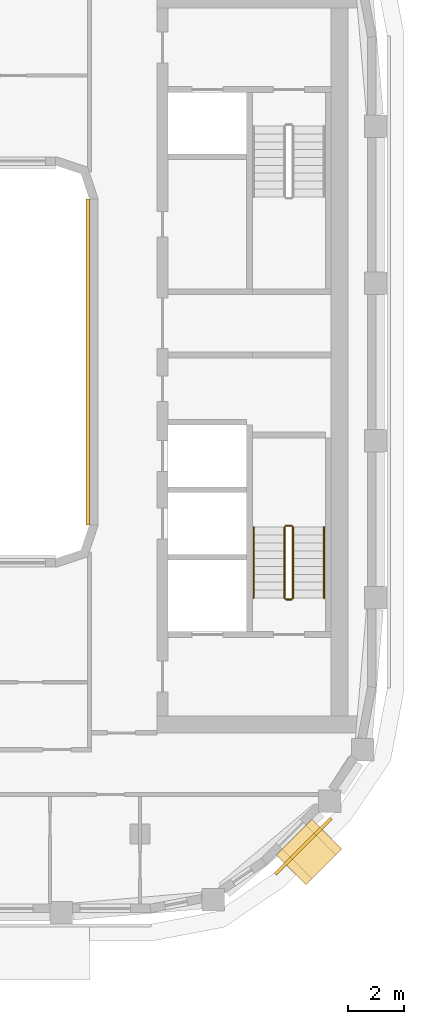
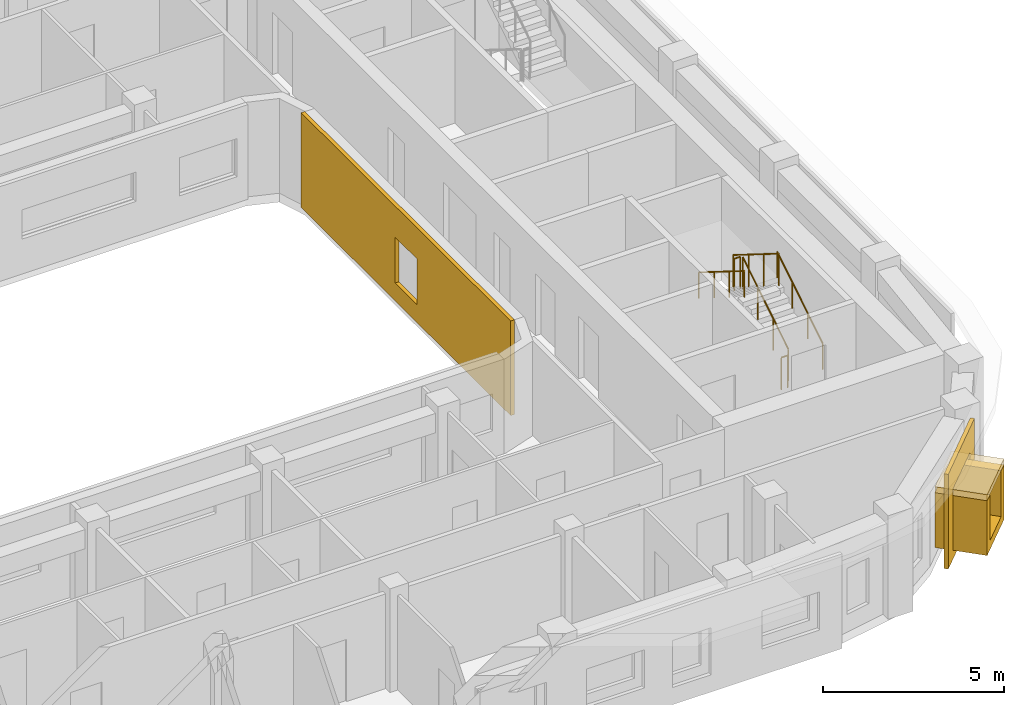
# One storey, part 13 of 16: 6 railings, 4 coverings.
"""IFC4 building model written with IfcOpenShell, lengths in metres."""

from ifc_helpers import new_model, si_unit, direction, frame, origin, origin_2d, place, context, subcontext, project, spatial, polyline, rectangle, circle, outline, extrude, material, layer, layer_set, type_object, element, save


model = new_model("IFC4")

# Units and contexts
model_context = context("Model", 3, precision=1e-05, world=origin(), true_north=direction((0.0, 1.0)))
body_context = subcontext(model_context, "Body", "Model", "MODEL_VIEW")
ifc_project = project(units=[si_unit("LENGTHUNIT", "METRE"), si_unit("AREAUNIT", "SQUARE_METRE"), si_unit("VOLUMEUNIT", "CUBIC_METRE"), si_unit("PLANEANGLEUNIT", "RADIAN"), si_unit("MASSUNIT", "GRAM", prefix="KILO")], contexts=[model_context])

# Site, building, storey
site_placement = place(None, origin())
site = spatial("IfcSite", under=ifc_project, at=site_placement, CompositionType="ELEMENT")
building_placement = place(site_placement, origin())
building = spatial("IfcBuilding", under=site, at=building_placement, Name="Kiln Ring Residences", CompositionType="ELEMENT")
storey_placement = place(building_placement, frame((0.0, 0.0, 255.699951171875)))
storey = spatial("IfcBuildingStorey", under=building, at=storey_placement, Name="L66", CompositionType="ELEMENT", Elevation=255.699951171875)

# Railings
ifc_material_1 = material(Name="Stainless steel", Category="steel")
railing_type_1 = type_object("IfcRailingType", Name="CORE-STAIR-GUARD", PredefinedType="GUARDRAIL", material=ifc_material_1)
railing_1_placement = place(storey_placement, frame((22.25, -8.39990234375, 0.175048828125)))
element("IfcRailing", 1, at=railing_1_placement, inside=storey, type_object=railing_type_1, Name="L66 E-STS stair guard 1", PredefinedType="GUARDRAIL", context=body_context, shape_type="SweptSolid", body=[
    extrude(circle(Radius=0.02392578125, at=origin_2d()), frame((0.0, 0.0, 1.076171875), z_axis=(0.0, 0.848007534815, 0.529984170421), x_axis=(-1.0, 0.0, 0.0)), (0.0, 0.0, 1.0), 2.9716796875),
    extrude(circle(Radius=0.02099609375, at=origin_2d()), origin(), (0.0, 0.0, 1.0), 1.052001953125),
    extrude(circle(Radius=0.02099609375, at=origin_2d()), frame((0.0, 0.840087890625, 0.52490234375)), (0.0, 0.0, 1.0), 1.052001953125),
    extrude(circle(Radius=0.02099609375, at=origin_2d()), frame((0.0, 1.679931640625, 1.050048828125)), (0.0, 0.0, 1.0), 1.052001953125),
    extrude(circle(Radius=0.02099609375, at=origin_2d()), frame((0.0, 2.52001953125, 1.574951171875)), (0.0, 0.0, 1.0), 1.052001953125),
])
railing_2_placement = place(storey_placement, frame((22.199951171875, -5.830078125, 1.75)))
element("IfcRailing", 2, at=railing_2_placement, inside=storey, type_object=railing_type_1, Name="L66 E-STS stair guard 2", PredefinedType="GUARDRAIL", context=body_context, shape_type="SweptSolid", body=[
    extrude(circle(Radius=0.02392578125, at=origin_2d()), frame((0.0, 0.0, 1.076171875), z_axis=(-1.0, 0.0, 0.0), x_axis=(0.0, -1.0, 0.0)), (0.0, 0.0, 1.0), 0.199951171875),
    extrude(circle(Radius=0.02099609375, at=origin_2d()), origin(), (0.0, 0.0, 1.0), 1.052001953125),
    extrude(circle(Radius=0.02099609375, at=origin_2d()), frame((-0.199951171875, 0.0, 0.0)), (0.0, 0.0, 1.0), 1.052001953125),
])
railing_3_placement = place(storey_placement, frame((21.949951171875, -5.8798828125, 1.925048828125)))
element("IfcRailing", 3, at=railing_3_placement, inside=storey, type_object=railing_type_1, Name="L66 E-STS stair guard 3", PredefinedType="GUARDRAIL", context=body_context, shape_type="SweptSolid", body=[
    extrude(circle(Radius=0.02392578125, at=origin_2d()), frame((0.0, 0.0, 1.076171875), z_axis=(0.0, -0.848007534815, 0.529984170421), x_axis=(1.0, 0.0, 0.0)), (0.0, 0.0, 1.0), 2.9716796875),
    extrude(circle(Radius=0.02099609375, at=origin_2d()), origin(), (0.0, 0.0, 1.0), 1.052001953125),
    extrude(circle(Radius=0.02099609375, at=origin_2d()), frame((0.0, -0.840087890625, 0.52490234375)), (0.0, 0.0, 1.0), 1.052001953125),
    extrude(circle(Radius=0.02099609375, at=origin_2d()), frame((0.0, -1.679931640625, 1.050048828125)), (0.0, 0.0, 1.0), 1.052001953125),
    extrude(circle(Radius=0.02099609375, at=origin_2d()), frame((0.0, -2.52001953125, 1.574951171875)), (0.0, 0.0, 1.0), 1.052001953125),
])
railing_4_placement = place(storey_placement, frame((22.199951171875, -8.449951171875, 0.0)))
element("IfcRailing", 4, at=railing_4_placement, inside=storey, type_object=railing_type_1, Name="L66 E-STS stair guard 4", PredefinedType="GUARDRAIL", context=body_context, shape_type="SweptSolid", body=[
    extrude(circle(Radius=0.02392578125, at=origin_2d()), frame((0.0, 0.0, 1.076171875), z_axis=(-1.0, 0.0, 0.0), x_axis=(0.0, -1.0, 0.0)), (0.0, 0.0, 1.0), 0.199951171875),
    extrude(circle(Radius=0.02099609375, at=origin_2d()), origin(), (0.0, 0.0, 1.0), 1.052001953125),
    extrude(circle(Radius=0.02099609375, at=origin_2d()), frame((-0.199951171875, 0.0, 0.0)), (0.0, 0.0, 1.0), 1.052001953125),
])
ifc_material_2 = material(Name="Stainless steel", Category="steel")
railing_type_2 = type_object("IfcRailingType", Name="CORE-STAIR-HANDRAIL", PredefinedType="HANDRAIL", material=ifc_material_2)
railing_5_placement = place(storey_placement, frame((23.35009765625, -8.39990234375, 0.175048828125)))
element("IfcRailing", 5, at=railing_5_placement, inside=storey, type_object=railing_type_2, Name="L66 E-STS stair handrail 1", PredefinedType="HANDRAIL", context=body_context, shape_type="SweptSolid", body=[
    extrude(circle(Radius=0.02392578125, at=origin_2d()), frame((0.0, 0.0, 0.8759765625), z_axis=(0.0, 0.848007534815, 0.529984170421), x_axis=(-1.0, 0.0, 0.0)), (0.0, 0.0, 1.0), 2.9716796875),
    extrude(circle(Radius=0.02099609375, at=origin_2d()), origin(), (0.0, 0.0, 1.0), 0.851806640625),
    extrude(circle(Radius=0.02099609375, at=origin_2d()), frame((0.0, 0.840087890625, 0.52490234375)), (0.0, 0.0, 1.0), 0.851806640625),
    extrude(circle(Radius=0.02099609375, at=origin_2d()), frame((0.0, 1.679931640625, 1.050048828125)), (0.0, 0.0, 1.0), 0.851806640625),
    extrude(circle(Radius=0.02099609375, at=origin_2d()), frame((0.0, 2.52001953125, 1.574951171875)), (0.0, 0.0, 1.0), 0.851806640625),
])
railing_6_placement = place(storey_placement, frame((20.85009765625, -5.8798828125, 1.925048828125)))
element("IfcRailing", 6, at=railing_6_placement, inside=storey, type_object=railing_type_2, Name="L66 E-STS stair handrail 2", PredefinedType="HANDRAIL", context=body_context, shape_type="SweptSolid", body=[
    extrude(circle(Radius=0.02392578125, at=origin_2d()), frame((0.0, 0.0, 0.8759765625), z_axis=(0.0, -0.848007534815, 0.529984170421), x_axis=(1.0, 0.0, 0.0)), (0.0, 0.0, 1.0), 2.9716796875),
    extrude(circle(Radius=0.02099609375, at=origin_2d()), origin(), (0.0, 0.0, 1.0), 0.851806640625),
    extrude(circle(Radius=0.02099609375, at=origin_2d()), frame((0.0, -0.840087890625, 0.52490234375)), (0.0, 0.0, 1.0), 0.851806640625),
    extrude(circle(Radius=0.02099609375, at=origin_2d()), frame((0.0, -1.679931640625, 1.050048828125)), (0.0, 0.0, 1.0), 0.851806640625),
    extrude(circle(Radius=0.02099609375, at=origin_2d()), frame((0.0, -2.52001953125, 1.574951171875)), (0.0, 0.0, 1.0), 0.851806640625),
])

# Coverings
ifc_material_3 = material(Name="Brick masonry, dark clay brick", Category="masonry")
ifc_layer_1 = layer(ifc_material_3, 0.300048828125)
ifc_layer_set_1 = layer_set([ifc_layer_1], Name="FRAME CHEEKS AND SILL 1500")
covering_type_1 = type_object("IfcCoveringType", Name="FRAME CHEEKS AND SILL 1500", PredefinedType="CLADDING", material=ifc_layer_set_1)
covering_1_placement = place(storey_placement, frame((22.180908203125, -18.079833984375, 0.300048828125), z_axis=(0.0, 0.0, 1.0), x_axis=(0.707038962956, 0.707174592913, 0.0)))
element("IfcCovering", 7, at=covering_1_placement, inside=storey, type_object=covering_type_1, Name="FRAME L66", PredefinedType="CLADDING", context=body_context, shape_type="SweptSolid", body=[
    extrude(outline(polyline([(0.0, 0.0), (1.800048828125, 0.0), (1.800048828125, 1.85009765625), (1.5009765625, 1.85009765625), (1.5, 0.300048828125), (0.300048828125, 0.300048828125), (0.299072265625, 1.85009765625), (0.0, 1.85009765625), (0.0, 0.0)])), frame((0.0, 0.75, 0.0), z_axis=(0.0, -1.0, 0.0), x_axis=(1.0, 0.0, 0.0)), (0.0, 0.0, 1.0), 1.5),
])
ifc_material_4 = material(Name="Brick masonry, dark clay brick", Category="masonry")
ifc_layer_2 = layer(ifc_material_4, 0.199951171875)
ifc_layer_set_2 = layer_set([ifc_layer_2], Name="FRAME HEAD 1500")
covering_type_2 = type_object("IfcCoveringType", Name="FRAME HEAD 1500", PredefinedType="CLADDING", material=ifc_layer_set_2)
covering_2_placement = place(storey_placement, frame((22.8173828125, -17.443359375, 2.14990234375), z_axis=(0.0, 0.0, 1.0), x_axis=(0.707106781187, 0.707106781187, 0.0)))
element("IfcCovering", 8, at=covering_2_placement, inside=storey, type_object=covering_type_2, Name="FRAME HEAD L66", PredefinedType="CLADDING", context=body_context, shape_type="SweptSolid", body=[
    extrude(rectangle(XDim=1.800048828125, YDim=1.5, at=origin_2d()), origin(), (0.0, 0.0, 1.0), 0.199951171875),
])
ifc_material_5 = material(Name="Brick masonry, dark clay brick", Category="masonry")
ifc_layer_3 = layer(ifc_material_5, 0.1201171875)
ifc_layer_set_3 = layer_set([ifc_layer_3], Name="RAINSCREEN PANEL 120")
covering_type_3 = type_object("IfcCoveringType", Name="RAINSCREEN PANEL 120", PredefinedType="CLADDING", material=ifc_layer_set_3)
covering_3_placement = place(storey_placement, frame((21.622314453125, -18.228271484375, 0.0), z_axis=(0.0, 0.0, 1.0), x_axis=(0.707106781187, 0.707106781187, 0.0)))
element("IfcCovering", 9, at=covering_3_placement, inside=storey, type_object=covering_type_3, Name="RAINSCREEN L66", PredefinedType="CLADDING", context=body_context, shape_type="SweptSolid", body=[
    extrude(outline(polyline([(0.0, 0.0), (2.800048828125, 0.0), (2.800048828125, 3.199951171875), (0.0, 3.199951171875), (0.0, 0.0)]), holes=[polyline([(0.47998046875, 2.3701171875), (0.47998046875, 0.280029296875), (2.320068359375, 0.280029296875), (2.320068359375, 2.3701171875), (0.47998046875, 2.3701171875)])]), frame((0.0, 0.06005859375, 0.0), z_axis=(0.0, -1.0, 0.0), x_axis=(1.0, 0.0, 0.0)), (0.0, 0.0, 1.0), 0.1201171875),
])
covering_4_placement = place(storey_placement, frame((14.93994140625, 5.800048828125, 0.0), z_axis=(0.0, 0.0, 1.0), x_axis=(0.0, -1.0, 0.0)))
element("IfcCovering", 10, at=covering_4_placement, inside=storey, type_object=covering_type_3, Name="RAINSCREEN L66", PredefinedType="CLADDING", context=body_context, shape_type="SweptSolid", body=[
    extrude(outline(polyline([(0.0, 0.0), (11.60009765625, 0.0), (11.60009765625, 3.199951171875), (0.0, 3.199951171875), (0.0, 0.0)]), holes=[polyline([(5.199951171875, 2.150146484375), (5.199951171875, 0.60009765625), (6.39990234375, 0.60009765625), (6.39990234375, 2.150146484375), (5.199951171875, 2.150146484375)])]), frame((0.0, 0.06005859375, 0.0), z_axis=(0.0, -1.0, 0.0), x_axis=(1.0, 0.0, 0.0)), (0.0, 0.0, 1.0), 0.1201171875),
])

save(model, "model.ifc")
